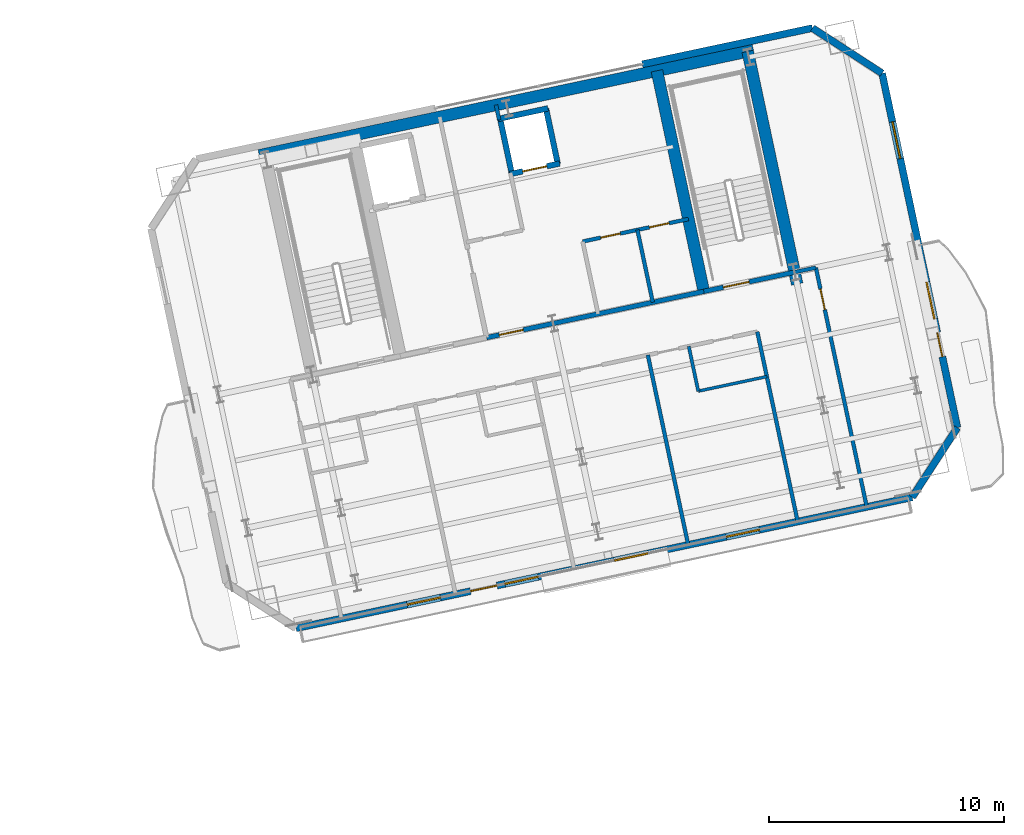
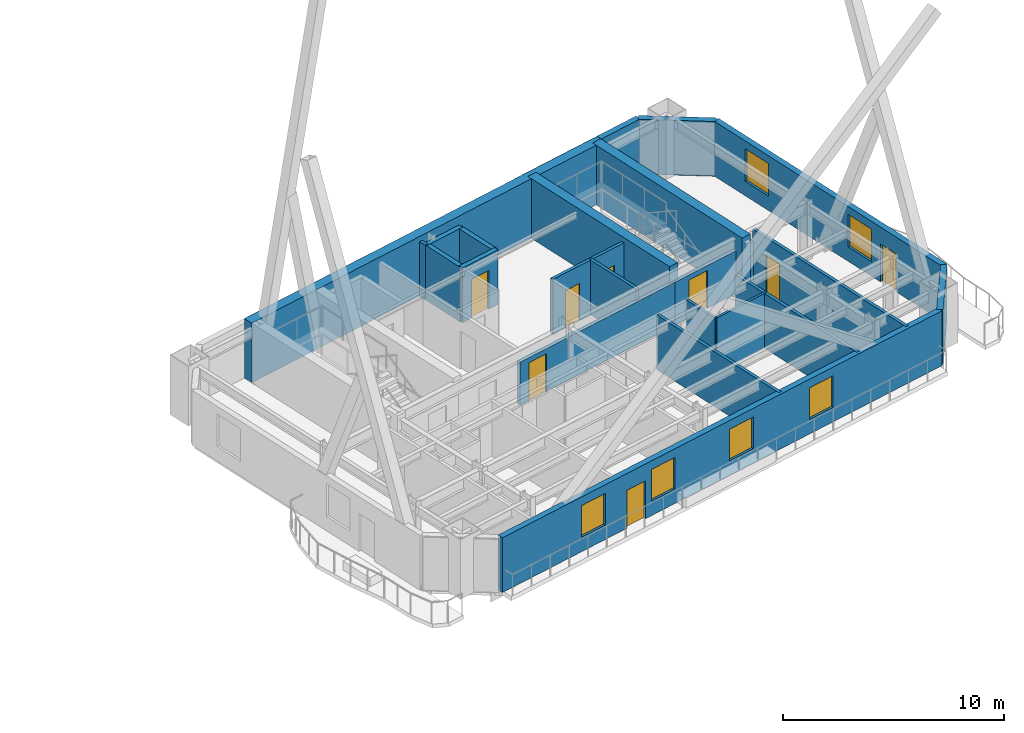
# One storey, part 13 of 19: 23 walls, 8 doors, 6 windows, 14 openings.
"""IFC4 building model written with IfcOpenShell, lengths in metres."""

from ifc_helpers import new_model, si_unit, direction, frame, frame_2d, origin, place, context, subcontext, project, spatial, rectangle, extrude, material, layer, layer_set, type_object, element, fill, save


model = new_model("IFC4")

# Units and contexts
model_context = context("Model", 3, precision=1e-05, world=origin(), true_north=direction((0.0, 1.0)))
body_context = subcontext(model_context, "Body", "Model", "MODEL_VIEW")
ifc_project = project(units=[si_unit("LENGTHUNIT", "METRE"), si_unit("AREAUNIT", "SQUARE_METRE"), si_unit("VOLUMEUNIT", "CUBIC_METRE"), si_unit("PLANEANGLEUNIT", "RADIAN"), si_unit("MASSUNIT", "GRAM", prefix="KILO")], contexts=[model_context])

# Site, building, storey
site_placement = place(None, origin())
site = spatial("IfcSite", under=ifc_project, at=site_placement, CompositionType="ELEMENT")
building_placement = place(site_placement, origin())
building = spatial("IfcBuilding", under=site, at=building_placement, Name="Haevon Station Towers", CompositionType="ELEMENT")
storey_placement = place(building_placement, frame((0.0, 0.0, 156.0)))
storey = spatial("IfcBuildingStorey", under=building, at=storey_placement, Name="L42", CompositionType="ELEMENT", Elevation=156.0)

# Wall, opening, door
ifc_material_1 = material(Name="Gypsum board on steel stud", Category="steel")
ifc_layer_1 = layer(ifc_material_1, 0.199951171875)
ifc_layer_set_1 = layer_set([ifc_layer_1], Name="Gypsum board on steel stud")
wall_type_1 = type_object("IfcWallType", Name="WL-COR200", PredefinedType="PARTITIONING", material=ifc_layer_set_1)
wall_1_placement = place(storey_placement, frame((115.4296875, 40.9873046875, 0.0), z_axis=(0.0, 0.0, 1.0), x_axis=(0.978146596989, 0.207916413008, 0.0)))
wall_1 = element("IfcWall", 1, at=wall_1_placement, inside=storey, type_object=wall_type_1, Name="WL-ST-ST4-L42", PredefinedType="PARTITIONING", context=body_context, shape_type="SweptSolid", body=[
    extrude(rectangle(XDim=3.9501953125, YDim=0.199951171875, at=frame_2d((1.97509765625, 0.0))), origin(), (0.0, 0.0, 1.0), 2.3798828125),
])
opening_1_placement = place(wall_1_placement, frame((0.85009765625, 0.0, 0.0)))
opening_1 = element("IfcOpeningElement", 2, at=opening_1_placement, cuts=wall_1, Name="Opening DR-ST-ST4-L42", PredefinedType="OPENING", context=body_context, shape_type="SweptSolid", body=[
    extrude(rectangle(XDim=1.1201171875, YDim=2.10009765625, at=frame_2d((0.56005859375, 1.050048828125))), frame((0.0, 0.10986328125, 0.0), z_axis=(0.0, -1.0, 0.0), x_axis=(1.0, 0.0, 0.0)), (0.0, 0.0, 1.0), 0.219970703125),
])
ifc_material_2 = material(Name="Engineered oak timber", Category="wood")
door_type_1 = type_object("IfcDoorType", Name="DR-ST-1120", OperationType="NOTDEFINED", PredefinedType="DOOR", material=ifc_material_2)
door_1_placement = place(opening_1_placement, origin())
door_1 = element("IfcDoor", 3, at=door_1_placement, inside=storey, type_object=door_type_1, Name="L42 Escape Stair ST4 Fire Door", OperationType="SINGLE_SWING_LEFT", OverallHeight=2.10009765625, OverallWidth=1.1201171875, PredefinedType="DOOR", context=body_context, shape_type="SweptSolid", body=[
    extrude(rectangle(XDim=1.1201171875, YDim=2.10009765625, at=frame_2d((0.56005859375, 1.050048828125))), frame((0.0, 0.02490234375, 0.0), z_axis=(0.0, -1.0, 0.0), x_axis=(1.0, 0.0, 0.0)), (0.0, 0.0, 1.0), 0.050048828125),
])
fill(opening_1, door_1)

wall_2_placement = place(storey_placement, frame((106.186279296875, 39.0224609375, 0.0), z_axis=(0.0, 0.0, 1.0), x_axis=(0.978145519981, 0.20792147975, 0.0)))
wall_2 = element("IfcWall", 4, at=wall_2_placement, inside=storey, type_object=wall_type_1, Name="WL-T2CLB-L42", PredefinedType="PARTITIONING", context=body_context, shape_type="SweptSolid", body=[
    extrude(rectangle(XDim=9.449951171875, YDim=0.199951171875, at=frame_2d((4.72509765625, 0.0))), origin(), (0.0, 0.0, 1.0), 2.3798828125),
])
opening_2_placement = place(wall_2_placement, frame((0.550048828125, 0.0, 0.0)))
opening_2 = element("IfcOpeningElement", 5, at=opening_2_placement, cuts=wall_2, Name="Opening DR-T2CLB-L42-1", PredefinedType="OPENING", context=body_context, shape_type="SweptSolid", body=[
    extrude(rectangle(XDim=1.050048828125, YDim=2.10009765625, at=frame_2d((0.52490234375, 1.050048828125))), frame((0.0, 0.10986328125, 0.0), z_axis=(0.0, -1.0, 0.0), x_axis=(1.0, 0.0, 0.0)), (0.0, 0.0, 1.0), 0.219970703125),
])
door_type_2 = type_object("IfcDoorType", Name="DR-FD60-1050", OperationType="NOTDEFINED", PredefinedType="DOOR", material=ifc_material_2)
door_2_placement = place(opening_2_placement, origin())
door_2 = element("IfcDoor", 6, at=door_2_placement, inside=storey, type_object=door_type_2, Name="L42 Tower 2 Core Lift Lobby Door 1", OperationType="SINGLE_SWING_RIGHT", OverallHeight=2.10009765625, OverallWidth=1.050048828125, PredefinedType="DOOR", context=body_context, shape_type="SweptSolid", body=[
    extrude(rectangle(XDim=1.050048828125, YDim=2.10009765625, at=frame_2d((0.52490234375, 1.050048828125))), frame((0.0, 0.02490234375, 0.0), z_axis=(0.0, -1.0, 0.0), x_axis=(1.0, 0.0, 0.0)), (0.0, 0.0, 1.0), 0.050048828125),
])
fill(opening_2, door_2)

# Walls
ifc_material_3 = material(Name="Concrete C60/75", Category="concrete")
ifc_layer_2 = layer(ifc_material_3, 0.5)
ifc_layer_set_2 = layer_set([ifc_layer_2], Name="Concrete C60/75")
wall_type_2 = type_object("IfcWallType", Name="WL-CR500", PredefinedType="SHEAR", material=ifc_layer_set_2)
wall_3_placement = place(storey_placement, frame((96.511962890625, 46.78076171875, 0.0), z_axis=(0.0, 0.0, 1.0), x_axis=(0.978148546782, 0.207907239961, 0.0)))
element("IfcWall", 7, at=wall_3_placement, inside=storey, type_object=wall_type_2, Name="WL-T2CR-L42-N", PredefinedType="SHEAR", context=body_context, shape_type="SweptSolid", body=[
    extrude(rectangle(XDim=21.499755859375, YDim=0.5, at=frame_2d((10.75, 0.0))), origin(), (0.0, 0.0, 1.0), 3.300048828125),
])
wall_4_placement = place(storey_placement, frame((119.401611328125, 41.2998046875, 0.0), z_axis=(0.0, 0.0, 1.0), x_axis=(-0.207904342798, 0.978149162575, 0.0)))
element("IfcWall", 8, at=wall_4_placement, inside=storey, type_object=wall_type_2, Name="WL-T2CR-L42-E", PredefinedType="SHEAR", context=body_context, shape_type="SweptSolid", body=[
    extrude(rectangle(XDim=10.1201171875, YDim=0.5, at=frame_2d((5.06005859375, 0.0))), origin(), (0.0, 0.0, 1.0), 3.300048828125),
])
wall_5_placement = place(storey_placement, frame((115.4296875, 40.9873046875, 0.0), z_axis=(0.0, 0.0, 1.0), x_axis=(-0.207903162969, 0.978149413345, 0.0)))
element("IfcWall", 9, at=wall_5_placement, inside=storey, type_object=wall_type_2, Name="WL-T2CR-L42-M2", PredefinedType="SHEAR", context=body_context, shape_type="SweptSolid", body=[
    extrude(rectangle(XDim=9.599853515625, YDim=0.5, at=frame_2d((4.7998046875, 0.0))), origin(), (0.0, 0.0, 1.0), 3.300048828125),
])

# Wall, openings, door, windows
ifc_material_4 = material(Name="Precast concrete C45/55", Category="concrete")
ifc_layer_3 = layer(ifc_material_4, 0.300048828125)
ifc_layer_set_3 = layer_set([ifc_layer_3], Name="Precast concrete C45/55")
wall_type_3 = type_object("IfcWallType", Name="WL-EXT-PIER300", PredefinedType="SOLIDWALL", material=ifc_layer_set_3)
wall_6_placement = place(storey_placement, frame((124.29443359375, 32.22900390625, 0.0), z_axis=(0.0, 0.0, 1.0), x_axis=(-0.978147690128, -0.20791127025, 0.0)))
wall_6 = element("IfcWall", 10, at=wall_6_placement, inside=storey, type_object=wall_type_3, Name="WL-T2-L42-S", PredefinedType="SOLIDWALL", context=body_context, shape_type="SweptSolid", body=[
    extrude(rectangle(XDim=26.800048828125, YDim=0.300048828125, at=frame_2d((13.39990234375, 0.0))), origin(), (0.0, 0.0, 1.0), 3.030029296875),
])
opening_3_placement = place(wall_6_placement, frame((18.0625, 0.0, 0.0)))
opening_3 = element("IfcOpeningElement", 11, at=opening_3_placement, cuts=wall_6, Name="Opening DR-T2-SKYG-L42", PredefinedType="OPENING", context=body_context, shape_type="SweptSolid", body=[
    extrude(rectangle(XDim=1.14990234375, YDim=2.10009765625, at=frame_2d((0.574951171875, 1.050048828125))), frame((0.0, 0.159912109375, 0.0), z_axis=(0.0, -1.0, 0.0), x_axis=(1.0, 0.0, 0.0)), (0.0, 0.0, 1.0), 0.320068359375),
])
opening_4_placement = place(wall_6_placement, frame((20.518798828125, 0.0, 0.800048828125)))
opening_4 = element("IfcOpeningElement", 12, at=opening_4_placement, cuts=wall_6, Name="Opening WN-P145", PredefinedType="OPENING", context=body_context, shape_type="SweptSolid", body=[
    extrude(rectangle(XDim=1.449951171875, YDim=1.75, at=frame_2d((0.72509765625, 0.875))), frame((0.0, 0.159912109375, 0.0), z_axis=(0.0, -1.0, 0.0), x_axis=(1.0, 0.0, 0.0)), (0.0, 0.0, 1.0), 0.320068359375),
])
opening_5_placement = place(wall_6_placement, frame((16.263916015625, 0.0, 0.800048828125)))
opening_5 = element("IfcOpeningElement", 13, at=opening_5_placement, cuts=wall_6, Name="Opening WN-P145", PredefinedType="OPENING", context=body_context, shape_type="SweptSolid", body=[
    extrude(rectangle(XDim=1.449951171875, YDim=1.75, at=frame_2d((0.72509765625, 0.875))), frame((0.0, 0.159912109375, 0.0), z_axis=(0.0, -1.0, 0.0), x_axis=(1.0, 0.0, 0.0)), (0.0, 0.0, 1.0), 0.320068359375),
])
opening_6_placement = place(wall_6_placement, frame((11.498291015625, 0.0, 0.800048828125)))
opening_6 = element("IfcOpeningElement", 14, at=opening_6_placement, cuts=wall_6, Name="Opening WN-P145", PredefinedType="OPENING", context=body_context, shape_type="SweptSolid", body=[
    extrude(rectangle(XDim=1.449951171875, YDim=1.75, at=frame_2d((0.72509765625, 0.875))), frame((0.0, 0.159912109375, 0.0), z_axis=(0.0, -1.0, 0.0), x_axis=(1.0, 0.0, 0.0)), (0.0, 0.0, 1.0), 0.320068359375),
])
opening_7_placement = place(wall_6_placement, frame((6.636474609375, 0.0, 0.800048828125)))
opening_7 = element("IfcOpeningElement", 15, at=opening_7_placement, cuts=wall_6, Name="Opening WN-P145", PredefinedType="OPENING", context=body_context, shape_type="SweptSolid", body=[
    extrude(rectangle(XDim=1.449951171875, YDim=1.75, at=frame_2d((0.72509765625, 0.875))), frame((0.0, 0.159912109375, 0.0), z_axis=(0.0, -1.0, 0.0), x_axis=(1.0, 0.0, 0.0)), (0.0, 0.0, 1.0), 0.320068359375),
])
ifc_material_5 = material(Name="Thermally broken anodised aluminium and laminated safety glass", Category="aluminium")
door_type_3 = type_object("IfcDoorType", Name="DR-BALC-1150", OperationType="NOTDEFINED", PredefinedType="DOOR", material=ifc_material_5)
door_3_placement = place(opening_3_placement, origin())
door_3 = element("IfcDoor", 16, at=door_3_placement, inside=storey, type_object=door_type_3, Name="Tower 2 L42 Sky Garden Terrace Door", OperationType="SINGLE_SWING_LEFT", OverallHeight=2.10009765625, OverallWidth=1.14990234375, PredefinedType="DOOR", context=body_context, shape_type="SweptSolid", body=[
    extrude(rectangle(XDim=1.14990234375, YDim=2.10009765625, at=frame_2d((0.574951171875, 1.050048828125))), frame((0.0, 0.02490234375, 0.0), z_axis=(0.0, -1.0, 0.0), x_axis=(1.0, 0.0, 0.0)), (0.0, 0.0, 1.0), 0.050048828125),
])
fill(opening_3, door_3)
ifc_material_6 = material(Name="Low-E triple glazing in thermally broken aluminium", Category="aluminium")
window_type_1 = type_object("IfcWindowType", Name="WN-P145", PartitioningType="SINGLE_PANEL", PredefinedType="WINDOW", material=ifc_material_6)
window_1_placement = place(opening_4_placement, origin())
window_1 = element("IfcWindow", 17, at=window_1_placement, inside=storey, type_object=window_type_1, Name="WN-T2-L42-S01", OverallHeight=1.75, OverallWidth=1.449951171875, PartitioningType="SINGLE_PANEL", PredefinedType="WINDOW", context=body_context, shape_type="SweptSolid", body=[
    extrude(rectangle(XDim=1.449951171875, YDim=1.75, at=frame_2d((0.72509765625, 0.875))), frame((0.0, 0.030029296875, 0.0), z_axis=(0.0, -1.0, 0.0), x_axis=(1.0, 0.0, 0.0)), (0.0, 0.0, 1.0), 0.06005859375),
])
fill(opening_4, window_1)
window_2_placement = place(opening_5_placement, origin())
window_2 = element("IfcWindow", 18, at=window_2_placement, inside=storey, type_object=window_type_1, Name="WN-T2-L42-S02", OverallHeight=1.75, OverallWidth=1.449951171875, PartitioningType="SINGLE_PANEL", PredefinedType="WINDOW", context=body_context, shape_type="SweptSolid", body=[
    extrude(rectangle(XDim=1.449951171875, YDim=1.75, at=frame_2d((0.72509765625, 0.875))), frame((0.0, 0.030029296875, 0.0), z_axis=(0.0, -1.0, 0.0), x_axis=(1.0, 0.0, 0.0)), (0.0, 0.0, 1.0), 0.06005859375),
])
fill(opening_5, window_2)
window_3_placement = place(opening_6_placement, origin())
window_3 = element("IfcWindow", 19, at=window_3_placement, inside=storey, type_object=window_type_1, Name="WN-T2-L42-S03", OverallHeight=1.75, OverallWidth=1.449951171875, PartitioningType="SINGLE_PANEL", PredefinedType="WINDOW", context=body_context, shape_type="SweptSolid", body=[
    extrude(rectangle(XDim=1.449951171875, YDim=1.75, at=frame_2d((0.72509765625, 0.875))), frame((0.0, 0.030029296875, 0.0), z_axis=(0.0, -1.0, 0.0), x_axis=(1.0, 0.0, 0.0)), (0.0, 0.0, 1.0), 0.06005859375),
])
fill(opening_6, window_3)
window_4_placement = place(opening_7_placement, origin())
window_4 = element("IfcWindow", 20, at=window_4_placement, inside=storey, type_object=window_type_1, Name="WN-T2-L42-S04", OverallHeight=1.75, OverallWidth=1.449951171875, PartitioningType="SINGLE_PANEL", PredefinedType="WINDOW", context=body_context, shape_type="SweptSolid", body=[
    extrude(rectangle(XDim=1.449951171875, YDim=1.75, at=frame_2d((0.72509765625, 0.875))), frame((0.0, 0.030029296875, 0.0), z_axis=(0.0, -1.0, 0.0), x_axis=(1.0, 0.0, 0.0)), (0.0, 0.0, 1.0), 0.06005859375),
])
fill(opening_7, window_4)

# Walls
wall_7_placement = place(storey_placement, frame((112.812744140625, 50.654541015625, 0.0), z_axis=(0.0, 0.0, 1.0), x_axis=(0.978153484238, 0.207884009181, 0.0)))
element("IfcWall", 21, at=wall_7_placement, inside=storey, type_object=wall_type_3, Name="WL-T2-L42-N2", PredefinedType="SOLIDWALL", context=body_context, shape_type="SweptSolid", body=[
    extrude(rectangle(XDim=7.39990234375, YDim=0.300048828125, at=frame_2d((3.699951171875, 0.0))), origin(), (0.0, 0.0, 1.0), 3.030029296875),
])
wall_8_placement = place(storey_placement, frame((120.051025390625, 52.19287109375, 0.0), z_axis=(0.0, 0.0, 1.0), x_axis=(0.838672309694, -0.544636352948, 0.0)))
element("IfcWall", 22, at=wall_8_placement, inside=storey, type_object=wall_type_3, Name="WL-T2-L42-NEC", PredefinedType="SOLIDWALL", context=body_context, shape_type="SweptSolid", body=[
    extrude(rectangle(XDim=3.535400390625, YDim=0.300048828125, at=frame_2d((1.767578125, 0.0))), origin(), (0.0, 0.0, 1.0), 3.030029296875),
])

# Wall, openings, door, windows
wall_9_placement = place(storey_placement, frame((123.01611328125, 50.267333984375, 0.0), z_axis=(0.0, 0.0, 1.0), x_axis=(0.207908020757, -0.978148380822, 0.0)))
wall_9 = element("IfcWall", 23, at=wall_9_placement, inside=storey, type_object=wall_type_3, Name="WL-T2-L42-E", PredefinedType="SOLIDWALL", context=body_context, shape_type="SweptSolid", body=[
    extrude(rectangle(XDim=15.409912109375, YDim=0.300048828125, at=frame_2d((7.705078125, 0.0))), origin(), (0.0, 0.0, 1.0), 3.030029296875),
])
opening_8_placement = place(wall_9_placement, frame((11.280029296875, 0.0, 0.0)))
opening_8 = element("IfcOpeningElement", 24, at=opening_8_placement, cuts=wall_9, Name="Opening DR-T2-SCAL-L42-E", PredefinedType="OPENING", context=body_context, shape_type="SweptSolid", body=[
    extrude(rectangle(XDim=1.050048828125, YDim=2.10009765625, at=frame_2d((0.52490234375, 1.050048828125))), frame((0.0, 0.159912109375, 0.0), z_axis=(0.0, -1.0, 0.0), x_axis=(1.0, 0.0, 0.0)), (0.0, 0.0, 1.0), 0.320068359375),
])
opening_9_placement = place(wall_9_placement, frame((2.108154296875, 0.0, 0.800048828125)))
opening_9 = element("IfcOpeningElement", 25, at=opening_9_placement, cuts=wall_9, Name="Opening WN-END160", PredefinedType="OPENING", context=body_context, shape_type="SweptSolid", body=[
    extrude(rectangle(XDim=1.60009765625, YDim=1.800048828125, at=frame_2d((0.800048828125, 0.89990234375))), frame((0.0, 0.159912109375, 0.0), z_axis=(0.0, -1.0, 0.0), x_axis=(1.0, 0.0, 0.0)), (0.0, 0.0, 1.0), 0.320068359375),
])
opening_10_placement = place(wall_9_placement, frame((9.08544921875, 0.0, 0.800048828125)))
opening_10 = element("IfcOpeningElement", 26, at=opening_10_placement, cuts=wall_9, Name="Opening WN-END160", PredefinedType="OPENING", context=body_context, shape_type="SweptSolid", body=[
    extrude(rectangle(XDim=1.60009765625, YDim=1.800048828125, at=frame_2d((0.800048828125, 0.89990234375))), frame((0.0, 0.159912109375, 0.0), z_axis=(0.0, -1.0, 0.0), x_axis=(1.0, 0.0, 0.0)), (0.0, 0.0, 1.0), 0.320068359375),
])
door_type_4 = type_object("IfcDoorType", Name="DR-BALC-1050", OperationType="NOTDEFINED", PredefinedType="DOOR", material=ifc_material_5)
door_4_placement = place(opening_8_placement, origin())
door_4 = element("IfcDoor", 27, at=door_4_placement, inside=storey, type_object=door_type_4, Name="Tower 2 L42 East Scalloped Balcony Door", OperationType="SINGLE_SWING_LEFT", OverallHeight=2.10009765625, OverallWidth=1.050048828125, PredefinedType="DOOR", context=body_context, shape_type="SweptSolid", body=[
    extrude(rectangle(XDim=1.050048828125, YDim=2.10009765625, at=frame_2d((0.52490234375, 1.050048828125))), frame((0.0, 0.02490234375, 0.0), z_axis=(0.0, -1.0, 0.0), x_axis=(1.0, 0.0, 0.0)), (0.0, 0.0, 1.0), 0.050048828125),
])
fill(opening_8, door_4)
window_type_2 = type_object("IfcWindowType", Name="WN-END160", PartitioningType="SINGLE_PANEL", PredefinedType="WINDOW", material=ifc_material_6)
window_5_placement = place(opening_9_placement, origin())
window_5 = element("IfcWindow", 28, at=window_5_placement, inside=storey, type_object=window_type_2, Name="WN-T2-L42-E01", OverallHeight=1.800048828125, OverallWidth=1.60009765625, PartitioningType="SINGLE_PANEL", PredefinedType="WINDOW", context=body_context, shape_type="SweptSolid", body=[
    extrude(rectangle(XDim=1.60009765625, YDim=1.800048828125, at=frame_2d((0.800048828125, 0.89990234375))), frame((0.0, 0.030029296875, 0.0), z_axis=(0.0, -1.0, 0.0), x_axis=(1.0, 0.0, 0.0)), (0.0, 0.0, 1.0), 0.06005859375),
])
fill(opening_9, window_5)
window_6_placement = place(opening_10_placement, origin())
window_6 = element("IfcWindow", 29, at=window_6_placement, inside=storey, type_object=window_type_2, Name="WN-T2-L42-E02", OverallHeight=1.800048828125, OverallWidth=1.60009765625, PartitioningType="SINGLE_PANEL", PredefinedType="WINDOW", context=body_context, shape_type="SweptSolid", body=[
    extrude(rectangle(XDim=1.60009765625, YDim=1.800048828125, at=frame_2d((0.800048828125, 0.89990234375))), frame((0.0, 0.030029296875, 0.0), z_axis=(0.0, -1.0, 0.0), x_axis=(1.0, 0.0, 0.0)), (0.0, 0.0, 1.0), 0.06005859375),
])
fill(opening_10, window_6)

# Walls
wall_10_placement = place(storey_placement, frame((126.219970703125, 35.194091796875, 0.0), z_axis=(0.0, 0.0, 1.0), x_axis=(-0.544636352948, -0.838672309694, 0.0)))
element("IfcWall", 30, at=wall_10_placement, inside=storey, type_object=wall_type_3, Name="WL-T2-L42-SEC", PredefinedType="SOLIDWALL", context=body_context, shape_type="SweptSolid", body=[
    extrude(rectangle(XDim=3.535400390625, YDim=0.300048828125, at=frame_2d((1.767578125, 0.0))), origin(), (0.0, 0.0, 1.0), 3.030029296875),
])
ifc_layer_4 = layer(ifc_material_1, 0.125)
ifc_layer_set_4 = layer_set([ifc_layer_4], Name="Gypsum board on steel stud")
wall_type_4 = type_object("IfcWallType", Name="WL-PRT125", PredefinedType="PARTITIONING", material=ifc_layer_set_4)
wall_11_placement = place(storey_placement, frame((115.193603515625, 36.74560546875, 0.0), z_axis=(0.0, 0.0, 1.0), x_axis=(0.978151985966, 0.207891058853, 0.0)))
element("IfcWall", 31, at=wall_11_placement, inside=storey, type_object=wall_type_4, Name="WL-T2PT-L42-13", PredefinedType="PARTITIONING", context=body_context, shape_type="SweptSolid", body=[
    extrude(rectangle(XDim=2.98291015625, YDim=0.125, at=frame_2d((1.491455078125, 0.0))), origin(), (0.0, 0.0, 1.0), 3.030029296875),
])
ifc_layer_5 = layer(ifc_material_1, 0.139892578125)
ifc_layer_set_5 = layer_set([ifc_layer_5], Name="Gypsum board on steel stud")
wall_type_5 = type_object("IfcWallType", Name="WL-PRT140", PredefinedType="PARTITIONING", material=ifc_layer_set_5)
wall_12_placement = place(storey_placement, frame((115.193603515625, 36.74560546875, 0.0), z_axis=(0.0, 0.0, 1.0), x_axis=(-0.207852765683, 0.978160123803, 0.0)))
element("IfcWall", 32, at=wall_12_placement, inside=storey, type_object=wall_type_5, Name="WL-T2PT-L42-14", PredefinedType="PARTITIONING", context=body_context, shape_type="SweptSolid", body=[
    extrude(rectangle(XDim=1.94970703125, YDim=0.139892578125, at=frame_2d((0.974853515625, 0.0))), origin(), (0.0, 0.0, 1.0), 3.030029296875),
])
ifc_layer_6 = layer(ifc_material_1, 0.159912109375)
ifc_layer_set_6 = layer_set([ifc_layer_6], Name="Gypsum board on steel stud")
wall_type_6 = type_object("IfcWallType", Name="WL-PRT160", PredefinedType="PARTITIONING", material=ifc_layer_set_6)
wall_13_placement = place(storey_placement, frame((106.721923828125, 48.286376953125, 0.0), z_axis=(0.0, 0.0, 1.0), x_axis=(-0.208092352933, 0.978109182377, 0.0)))
element("IfcWall", 33, at=wall_13_placement, inside=storey, type_object=wall_type_6, Name="WL-T2CW-L42-04", PredefinedType="PARTITIONING", context=body_context, shape_type="SweptSolid", body=[
    extrude(rectangle(XDim=0.64990234375, YDim=0.159912109375, at=frame_2d((0.324951171875, 0.0))), origin(), (0.0, 0.0, 1.0), 3.030029296875),
])
wall_14_placement = place(storey_placement, frame((113.25830078125, 40.525634765625, 0.0), z_axis=(0.0, 0.0, 1.0), x_axis=(-0.207935688634, 0.978142499533, 0.0)))
element("IfcWall", 34, at=wall_14_placement, inside=storey, type_object=wall_type_6, Name="WL-T2CW-L42-06", PredefinedType="PARTITIONING", context=body_context, shape_type="SweptSolid", body=[
    extrude(rectangle(XDim=3.150146484375, YDim=0.159912109375, at=frame_2d((1.5751953125, 0.0))), origin(), (0.0, 0.0, 1.0), 3.030029296875),
])

# Wall, openings, doors
wall_15_placement = place(storey_placement, frame((110.275390625, 43.112060546875, 0.0), z_axis=(0.0, 0.0, 1.0), x_axis=(0.978152106073, 0.207890493732, 0.0)))
wall_15 = element("IfcWall", 35, at=wall_15_placement, inside=storey, type_object=wall_type_6, Name="WL-T2CW-L42-07", PredefinedType="PARTITIONING", context=body_context, shape_type="SweptSolid", body=[
    extrude(rectangle(XDim=4.60009765625, YDim=0.159912109375, at=frame_2d((2.300048828125, 0.0))), origin(), (0.0, 0.0, 1.0), 3.030029296875),
])
opening_11_placement = place(wall_15_placement, frame((0.784912109375, 0.0, 0.0)))
opening_11 = element("IfcOpeningElement", 36, at=opening_11_placement, cuts=wall_15, Name="Opening DR-WL-T2CW-L42-07-1", PredefinedType="OPENING", context=body_context, shape_type="SweptSolid", body=[
    extrude(rectangle(XDim=0.85009765625, YDim=2.050048828125, at=frame_2d((0.425048828125, 1.02490234375))), frame((0.0, 0.08984375, 0.0), z_axis=(0.0, -1.0, 0.0), x_axis=(1.0, 0.0, 0.0)), (0.0, 0.0, 1.0), 0.179931640625),
])
opening_12_placement = place(wall_15_placement, frame((2.905029296875, 0.0, 0.0)))
opening_12 = element("IfcOpeningElement", 37, at=opening_12_placement, cuts=wall_15, Name="Opening DR-WL-T2CW-L42-07-2", PredefinedType="OPENING", context=body_context, shape_type="SweptSolid", body=[
    extrude(rectangle(XDim=0.85009765625, YDim=2.050048828125, at=frame_2d((0.425048828125, 1.02490234375))), frame((0.0, 0.08984375, 0.0), z_axis=(0.0, -1.0, 0.0), x_axis=(1.0, 0.0, 0.0)), (0.0, 0.0, 1.0), 0.179931640625),
])
door_type_5 = type_object("IfcDoorType", Name="DR-FD30-850", OperationType="NOTDEFINED", PredefinedType="DOOR", material=ifc_material_2)
door_5_placement = place(opening_11_placement, origin())
door_5 = element("IfcDoor", 38, at=door_5_placement, inside=storey, type_object=door_type_5, Name="L42 Tower 2 Core Room Door 7-1", OperationType="SINGLE_SWING_RIGHT", OverallHeight=2.050048828125, OverallWidth=0.85009765625, PredefinedType="DOOR", context=body_context, shape_type="SweptSolid", body=[
    extrude(rectangle(XDim=0.85009765625, YDim=2.050048828125, at=frame_2d((0.425048828125, 1.02490234375))), frame((0.0, 0.02490234375, 0.0), z_axis=(0.0, -1.0, 0.0), x_axis=(1.0, 0.0, 0.0)), (0.0, 0.0, 1.0), 0.050048828125),
])
fill(opening_11, door_5)
door_6_placement = place(opening_12_placement, origin())
door_6 = element("IfcDoor", 39, at=door_6_placement, inside=storey, type_object=door_type_5, Name="L42 Tower 2 Core Room Door 7-2", OperationType="SINGLE_SWING_LEFT", OverallHeight=2.050048828125, OverallWidth=0.85009765625, PredefinedType="DOOR", context=body_context, shape_type="SweptSolid", body=[
    extrude(rectangle(XDim=0.85009765625, YDim=2.050048828125, at=frame_2d((0.425048828125, 1.02490234375))), frame((0.0, 0.02490234375, 0.0), z_axis=(0.0, -1.0, 0.0), x_axis=(1.0, 0.0, 0.0)), (0.0, 0.0, 1.0), 0.050048828125),
])
fill(opening_12, door_6)

# Walls
wall_16_placement = place(storey_placement, frame((119.42333984375, 31.193603515625, 0.0), z_axis=(0.0, 0.0, 1.0), x_axis=(-0.207930161076, 0.978143674577, 0.0)))
element("IfcWall", 40, at=wall_16_placement, inside=storey, type_object=wall_type_6, Name="WL-T2PT-L42-01", PredefinedType="PARTITIONING", context=body_context, shape_type="SweptSolid", body=[
    extrude(rectangle(XDim=8.260009765625, YDim=0.159912109375, at=frame_2d((4.1298828125, 0.0))), origin(), (0.0, 0.0, 1.0), 3.030029296875),
])
wall_17_placement = place(storey_placement, frame((119.29345703125, 41.80859375, 0.0), z_axis=(0.0, 0.0, 1.0), x_axis=(0.978133353907, 0.20797870558, 0.0)))
element("IfcWall", 41, at=wall_17_placement, inside=storey, type_object=wall_type_6, Name="WL-T2PT-L42-03", PredefinedType="PARTITIONING", context=body_context, shape_type="SweptSolid", body=[
    extrude(rectangle(XDim=0.925048828125, YDim=0.159912109375, at=frame_2d((0.46240234375, 0.0))), origin(), (0.0, 0.0, 1.0), 2.3798828125),
])

# Wall, opening, door
wall_18_placement = place(storey_placement, frame((122.362548828125, 31.818359375, 0.0), z_axis=(0.0, 0.0, 1.0), x_axis=(-0.207904755642, 0.978149074825, 0.0)))
wall_18 = element("IfcWall", 42, at=wall_18_placement, inside=storey, type_object=wall_type_6, Name="WL-T2PT-L42-05", PredefinedType="PARTITIONING", context=body_context, shape_type="SweptSolid", body=[
    extrude(rectangle(XDim=10.41015625, YDim=0.159912109375, at=frame_2d((5.205078125, 0.0))), origin(), (0.0, 0.0, 1.0), 3.030029296875),
])
opening_13_placement = place(wall_18_placement, frame((8.580078125, 0.0, 0.0)))
opening_13 = element("IfcOpeningElement", 43, at=opening_13_placement, cuts=wall_18, Name="Opening DR-WL-T2PT-L42-05-01", PredefinedType="OPENING", context=body_context, shape_type="SweptSolid", body=[
    extrude(rectangle(XDim=0.89990234375, YDim=2.050048828125, at=frame_2d((0.449951171875, 1.02490234375))), frame((0.0, 0.08984375, 0.0), z_axis=(0.0, -1.0, 0.0), x_axis=(1.0, 0.0, 0.0)), (0.0, 0.0, 1.0), 0.179931640625),
])
door_type_6 = type_object("IfcDoorType", Name="DR-INT-900", OperationType="NOTDEFINED", PredefinedType="DOOR", material=ifc_material_2)
door_7_placement = place(opening_13_placement, origin())
door_7 = element("IfcDoor", 44, at=door_7_placement, inside=storey, type_object=door_type_6, Name="L42 Tower 2 Room Door 5-1", OperationType="SINGLE_SWING_LEFT", OverallHeight=2.050048828125, OverallWidth=0.89990234375, PredefinedType="DOOR", context=body_context, shape_type="SweptSolid", body=[
    extrude(rectangle(XDim=0.89990234375, YDim=2.050048828125, at=frame_2d((0.449951171875, 1.02490234375))), frame((0.0, 0.02490234375, 0.0), z_axis=(0.0, -1.0, 0.0), x_axis=(1.0, 0.0, 0.0)), (0.0, 0.0, 1.0), 0.050048828125),
])
fill(opening_13, door_7)

# Wall
wall_19_placement = place(storey_placement, frame((114.7646484375, 30.203369140625, 0.0), z_axis=(0.0, 0.0, 1.0), x_axis=(-0.207930161076, 0.978143674577, 0.0)))
element("IfcWall", 45, at=wall_19_placement, inside=storey, type_object=wall_type_6, Name="WL-T2PT-L42-12", PredefinedType="PARTITIONING", context=body_context, shape_type="SweptSolid", body=[
    extrude(rectangle(XDim=8.260009765625, YDim=0.159912109375, at=frame_2d((4.1298828125, 0.0))), origin(), (0.0, 0.0, 1.0), 3.030029296875),
])

# Wall, opening, door
ifc_material_7 = material(Name="Concrete C40/50", Category="concrete")
ifc_layer_7 = layer(ifc_material_7, 0.239990234375)
ifc_layer_set_7 = layer_set([ifc_layer_7], Name="Concrete C40/50")
wall_type_7 = type_object("IfcWallType", Name="WL-SHF240", PredefinedType="PARTITIONING", material=ifc_layer_set_7)
wall_20_placement = place(storey_placement, frame((107.18115234375, 45.9814453125, 0.0), z_axis=(0.0, 0.0, 1.0), x_axis=(0.97813528961, 0.207969601673, 0.0)))
wall_20 = element("IfcWall", 46, at=wall_20_placement, inside=storey, type_object=wall_type_7, Name="WL-SHF-PL8-L42", PredefinedType="PARTITIONING", context=body_context, shape_type="SweptSolid", body=[
    extrude(rectangle(XDim=2.159912109375, YDim=0.239990234375, at=frame_2d((1.080078125, 0.0))), origin(), (0.0, 0.0, 1.0), 3.030029296875),
])
opening_14_placement = place(wall_20_placement, frame((0.554931640625, 0.0, 0.0)))
opening_14 = element("IfcOpeningElement", 47, at=opening_14_placement, cuts=wall_20, Name="Opening LD-PL8-L42", PredefinedType="OPENING", context=body_context, shape_type="SweptSolid", body=[
    extrude(rectangle(XDim=1.050048828125, YDim=2.14990234375, at=frame_2d((0.52490234375, 1.074951171875))), frame((0.0, 0.1298828125, 0.0), z_axis=(0.0, -1.0, 0.0), x_axis=(1.0, 0.0, 0.0)), (0.0, 0.0, 1.0), 0.260009765625),
])
ifc_material_8 = material(Name="Stainless steel and rated core", Category="steel")
door_type_7 = type_object("IfcDoorType", Name="LD-PL1050", OperationType="SLIDING_TO_LEFT", PredefinedType="DOOR", material=ifc_material_8)
door_8_placement = place(opening_14_placement, origin())
door_8 = element("IfcDoor", 48, at=door_8_placement, inside=storey, type_object=door_type_7, Name="L42 Lift PL8 Sliding Landing Door", OperationType="SLIDING_TO_LEFT", OverallHeight=2.14990234375, OverallWidth=1.050048828125, PredefinedType="DOOR", context=body_context, shape_type="SweptSolid", body=[
    extrude(rectangle(XDim=1.050048828125, YDim=2.14990234375, at=frame_2d((0.52490234375, 1.074951171875))), frame((0.0, 0.02490234375, 0.0), z_axis=(0.0, -1.0, 0.0), x_axis=(1.0, 0.0, 0.0)), (0.0, 0.0, 1.0), 0.050048828125),
])
fill(opening_14, door_8)

# Walls
wall_21_placement = place(storey_placement, frame((106.68212890625, 48.3291015625, 0.0), z_axis=(0.0, 0.0, 1.0), x_axis=(0.978158276388, 0.207861459473, 0.0)))
element("IfcWall", 49, at=wall_21_placement, inside=storey, type_object=wall_type_7, Name="WL-SHF-PL8-L42-N", PredefinedType="PARTITIONING", context=body_context, shape_type="SweptSolid", body=[
    extrude(rectangle(XDim=2.159912109375, YDim=0.239990234375, at=frame_2d((1.080078125, 0.0))), origin(), (0.0, 0.0, 1.0), 3.030029296875),
])
for number, where, z_axis, x_axis, name in (
    (50, (107.259521484375, 45.998046875, 0.0), (0.0, 0.0, 1.0), (-0.207917150959, 0.978146440129, 0.0), "WL-SHF-PL8-L42-W"),
    (51, (109.2158203125, 46.413818359375, 0.0), (0.0, 0.0, 1.0), (-0.207917150959, 0.978146440129, 0.0), "WL-SHF-PL8-L42-E"),
):
    element("IfcWall", number, at=place(storey_placement, frame(where, z_axis=z_axis, x_axis=x_axis)), inside=storey, type_object=wall_type_7, Name=name, PredefinedType="PARTITIONING", context=body_context, shape_type="SweptSolid", body=[
        extrude(rectangle(XDim=2.400146484375, YDim=0.239990234375, at=frame_2d((1.2001953125, 0.0))), origin(), (0.0, 0.0, 1.0), 3.030029296875),
    ])

save(model, "model.ifc")
